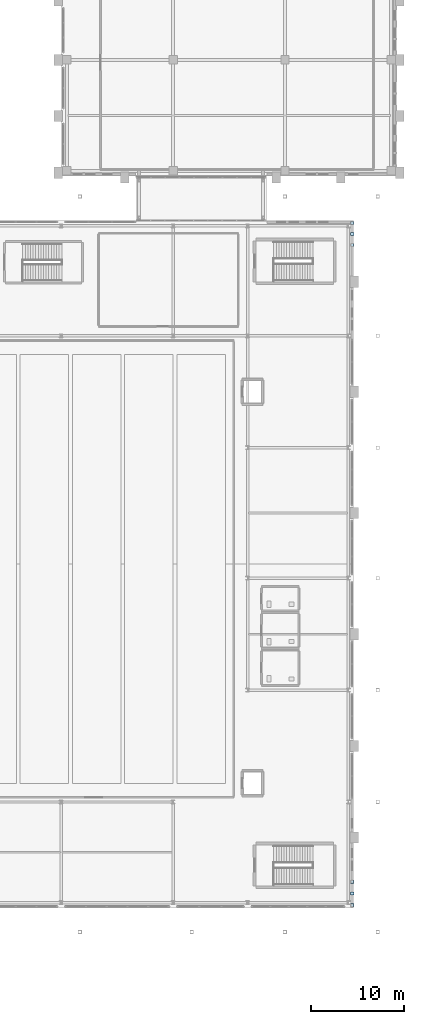
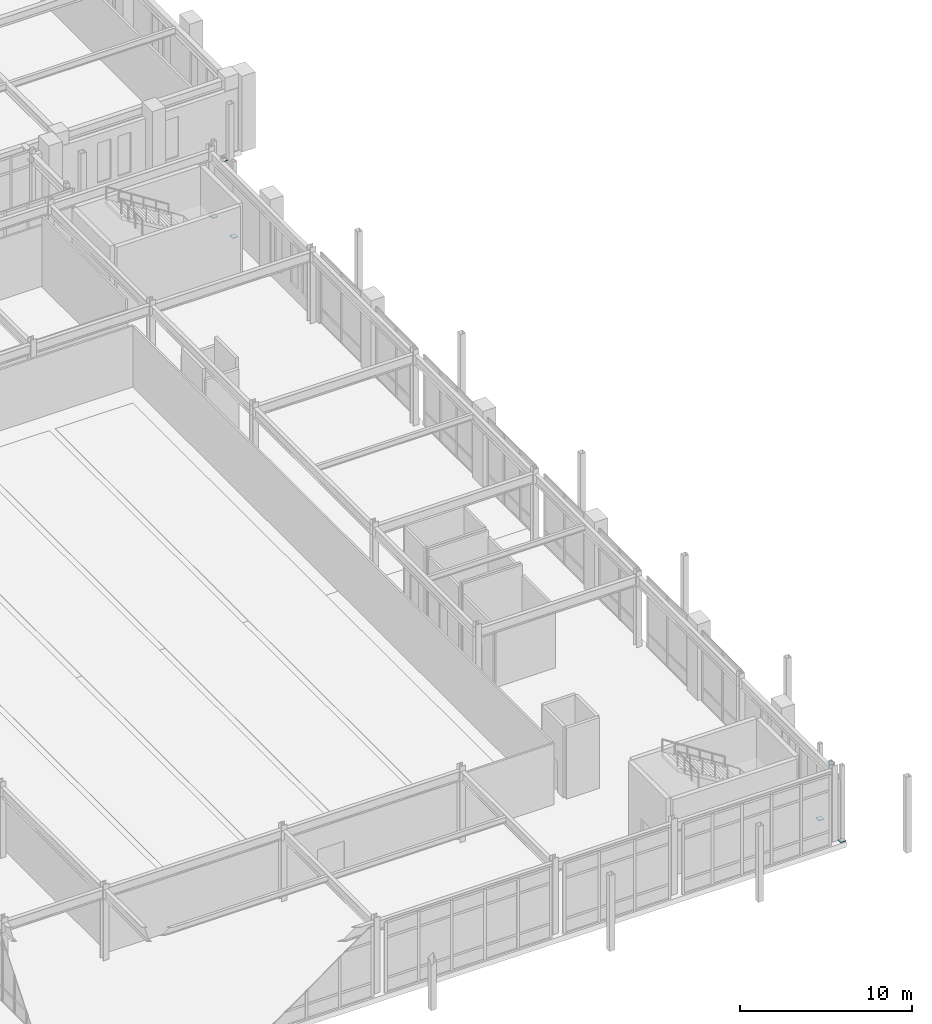
# One storey, part 122 of 159: 6 plates.
"""IFC4 building model written with IfcOpenShell, lengths in metres."""

from ifc_helpers import new_model, si_unit, derived_unit, direction, frame, origin, origin_2d, place, context, subcontext, project, spatial, rectangle, extrude, material, layer, layer_set, type_object, element, save


model = new_model("IFC4")

# Units and contexts
model_context = context("Model", 3, precision=1e-05, world=origin(), true_north=direction((0.0, 1.0)))
body_context = subcontext(model_context, "Body", "Model", "MODEL_VIEW")
ifc_project = project(units=[si_unit("LENGTHUNIT", "METRE"), si_unit("AREAUNIT", "SQUARE_METRE"), si_unit("VOLUMEUNIT", "CUBIC_METRE"), si_unit("PLANEANGLEUNIT", "RADIAN"), si_unit("MASSUNIT", "GRAM", prefix="KILO"), derived_unit("THERMALTRANSMITTANCEUNIT", [(si_unit("MASSUNIT", "GRAM", prefix="KILO"), 1), (si_unit("TIMEUNIT", "SECOND"), -3), (si_unit("THERMODYNAMICTEMPERATUREUNIT", "KELVIN"), -1)])], contexts=[model_context])

# Site, building, storey
site_placement = place(None, origin())
site = spatial("IfcSite", under=ifc_project, at=site_placement, CompositionType="ELEMENT")
building_placement = place(site_placement, origin())
building = spatial("IfcBuilding", under=site, at=building_placement, Name="Valcora Ridge Arena", CompositionType="ELEMENT")
storey_placement = place(building_placement, frame((0.0, 0.0, 6.0)))
storey = spatial("IfcBuildingStorey", under=building, at=storey_placement, Name="L01", CompositionType="ELEMENT", Elevation=6.0)

# Plates
ifc_material = material(Name="Steel ASTM A572 Grade 50", Category="steel")
ifc_layer = layer(ifc_material, 0.02490234375, Name="Steel ASTM A572 Grade 50")
ifc_layer_set = layer_set([ifc_layer], Name="Steel ASTM A572 Grade 50")
plate_type = type_object("IfcPlateType", Name="TY-PLATE-PL-GUS-25", PredefinedType="USERDEFINED", material=ifc_layer_set)
for number, where, z_axis, x_axis, name in (
    (1, (187.199951171875, 4.89990234375, 0.0), (0.0, 0.0, 1.0), (1.0, 0.0, 0.0), "PL-GUS-25 BR-GP-0004"),
    (2, (187.199951171875, 7.449951171875, 0.0), (0.0, 0.0, 1.0), (1.0, 0.0, 0.0), "PL-GUS-25 BR-GP-0005"),
    (3, (187.199951171875, 6.175048828125, 4.719970703125), (0.0, 0.0, 1.0), (1.0, 0.0, 0.0), "PL-GUS-25 BR-GP-0006"),
    (4, (187.199951171875, 75.75, 0.0), (0.0, 0.0, 1.0), (1.0, 0.0, 0.0), "PL-GUS-25 BR-GP-0013"),
    (5, (187.199951171875, 78.10009765625, 0.0), (0.0, 0.0, 1.0), (1.0, 0.0, 0.0), "PL-GUS-25 BR-GP-0014"),
    (6, (187.199951171875, 76.925048828125, 4.719970703125), (0.0, 0.0, 1.0), (1.0, 0.0, 0.0), "PL-GUS-25 BR-GP-0015"),
):
    element("IfcPlate", number, at=place(storey_placement, frame(where, z_axis=z_axis, x_axis=x_axis)), inside=storey, type_object=plate_type, Name=name, ObjectType="GUSSET_PLATE", PredefinedType="USERDEFINED", context=body_context, shape_type="SweptSolid", body=[
        extrude(rectangle(XDim=0.360107421875, YDim=0.360107421875, at=origin_2d()), origin(), (0.0, 0.0, 1.0), 0.02490234375),
    ])

save(model, "model.ifc")
